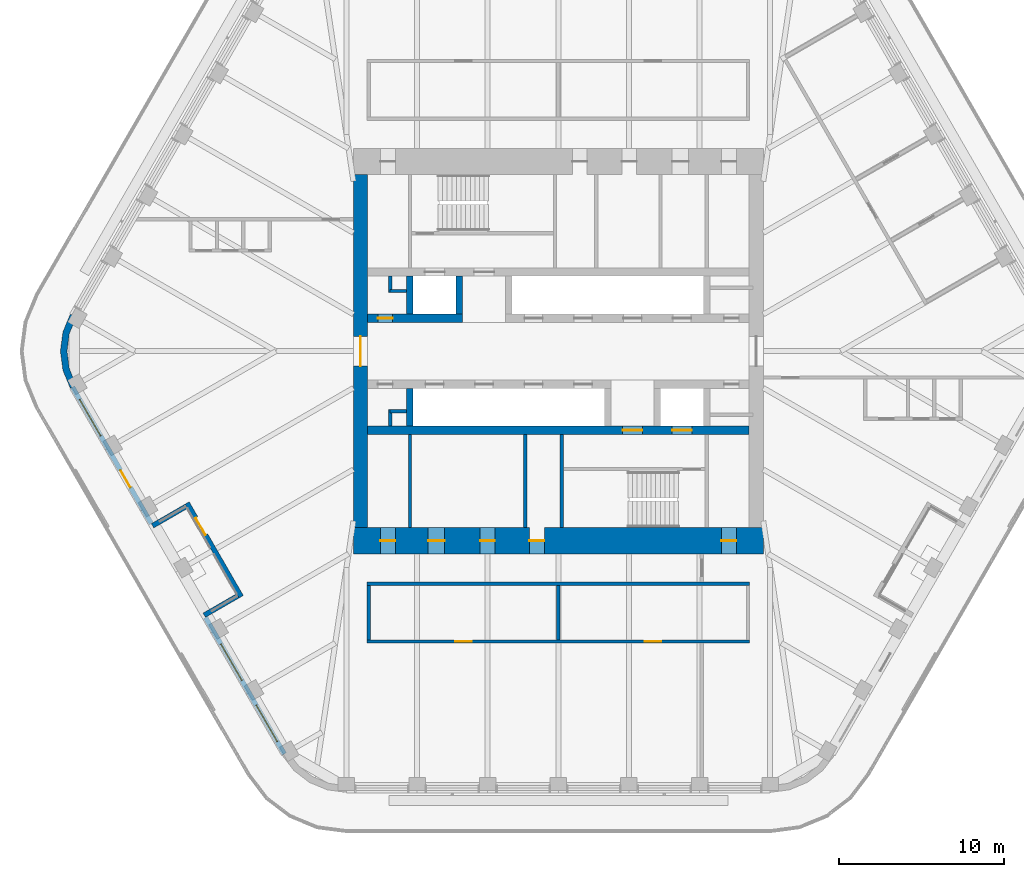
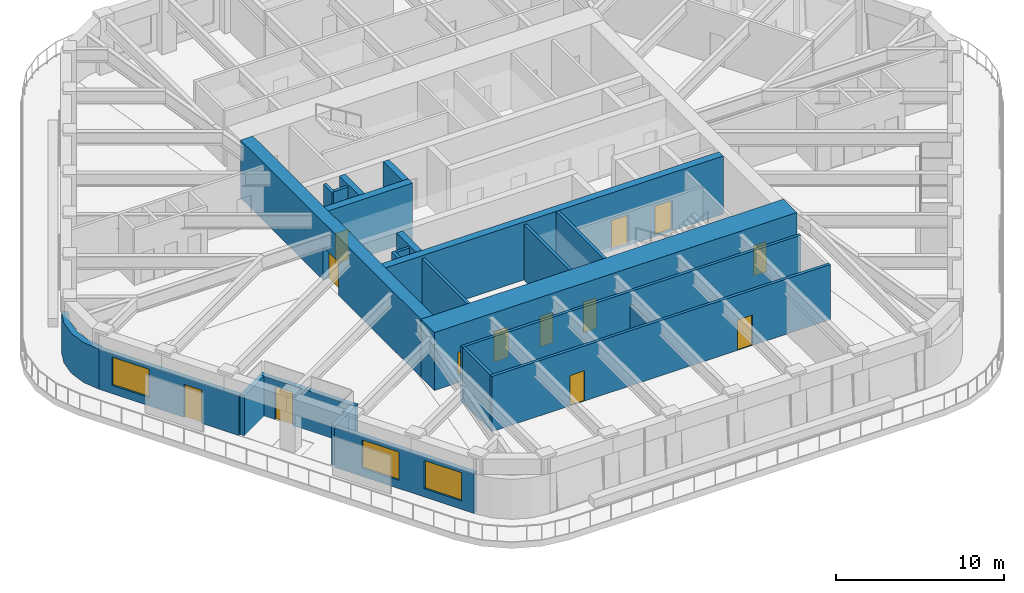
# One storey, part 13 of 19: 24 walls, 13 doors, 3 windows, 16 openings.
"""IFC4 building model written with IfcOpenShell, lengths in metres."""

from ifc_helpers import new_model, si_unit, direction, frame, frame_2d, origin, place, context, subcontext, project, spatial, polyline, rectangle, outline, extrude, material, layer, layer_set, type_object, element, fill, save


model = new_model("IFC4")

# Units and contexts
model_context = context("Model", 3, precision=1e-05, world=origin(), true_north=direction((0.0, 1.0)))
body_context = subcontext(model_context, "Body", "Model", "MODEL_VIEW")
ifc_project = project(units=[si_unit("LENGTHUNIT", "METRE"), si_unit("AREAUNIT", "SQUARE_METRE"), si_unit("VOLUMEUNIT", "CUBIC_METRE"), si_unit("PLANEANGLEUNIT", "RADIAN"), si_unit("MASSUNIT", "GRAM", prefix="KILO")], contexts=[model_context])

# Site, building, storey
site_placement = place(None, origin())
site = spatial("IfcSite", under=ifc_project, at=site_placement, CompositionType="ELEMENT")
building_placement = place(site_placement, origin())
building = spatial("IfcBuilding", under=site, at=building_placement, Name="Tarfa Lantern Tower", CompositionType="ELEMENT")
storey_placement = place(building_placement, frame((0.0, 0.0, 345.10009765625)))
storey = spatial("IfcBuildingStorey", under=building, at=storey_placement, Name="L78", CompositionType="ELEMENT", Elevation=345.10009765625)

# Wall, openings, door, window
ifc_material_1 = material(Name="Limestone cladding on blockwork", Category="masonry")
ifc_layer_1 = layer(ifc_material_1, 0.300048828125)
ifc_layer_set_1 = layer_set([ifc_layer_1], Name="EW1 STONE-CLAD WALL 300")
wall_type_1 = type_object("IfcWallType", Name="EW1 STONE-CLAD WALL 300", PredefinedType="SOLIDWALL", material=ifc_layer_set_1)
wall_1_placement = place(storey_placement, frame((-29.459228515625, -2.175048828125, 0.0), z_axis=(0.0, 0.0, 1.0), x_axis=(0.499996453679, -0.866027451244, 0.0)))
wall_1 = element("IfcWall", 1, at=wall_1_placement, inside=storey, type_object=wall_type_1, Name="Stone wall SW", PredefinedType="SOLIDWALL", context=body_context, shape_type="SweptSolid", body=[
    extrude(rectangle(XDim=9.56396484375, YDim=0.300048828125, at=frame_2d((4.781982421875, 0.0))), origin(), (0.0, 0.0, 1.0), 2.89990234375),
])
opening_1_placement = place(wall_1_placement, frame((0.865966796875, 0.0, 0.60009765625)))
opening_1 = element("IfcOpeningElement", 2, at=opening_1_placement, cuts=wall_1, Name="Opening W17", PredefinedType="OPENING", context=body_context, shape_type="SweptSolid", body=[
    extrude(rectangle(XDim=2.550048828125, YDim=2.050048828125, at=frame_2d((1.27490234375, 1.02490234375))), frame((0.0, 0.159912109375, 0.0), z_axis=(0.0, -1.0, 0.0), x_axis=(1.0, 0.0, 0.0)), (0.0, 0.0, 1.0), 0.320068359375),
])
opening_2_placement = place(wall_1_placement, frame((5.822998046875, 0.0, 0.0)))
opening_2 = element("IfcOpeningElement", 3, at=opening_2_placement, cuts=wall_1, Name="Opening D42", PredefinedType="OPENING", context=body_context, shape_type="SweptSolid", body=[
    extrude(rectangle(XDim=1.199951171875, YDim=2.39990234375, at=frame_2d((0.60009765625, 1.199951171875))), frame((0.0, 0.159912109375, 0.0), z_axis=(0.0, -1.0, 0.0), x_axis=(1.0, 0.0, 0.0)), (0.0, 0.0, 1.0), 0.320068359375),
])
ifc_material_2 = material(Name="Aluminium framed glazed door", Category="aluminium")
door_type_1 = type_object("IfcDoorType", Name="BE3 BALCONY DOOR 1200x2400", OperationType="SINGLE_SWING_RIGHT", PredefinedType="DOOR", material=ifc_material_2)
door_1_placement = place(opening_2_placement, origin())
door_1 = element("IfcDoor", 4, at=door_1_placement, inside=storey, type_object=door_type_1, Name="Balcony door SW", OperationType="SINGLE_SWING_LEFT", OverallHeight=2.39990234375, OverallWidth=1.199951171875, PredefinedType="DOOR", context=body_context, shape_type="SweptSolid", body=[
    extrude(rectangle(XDim=1.199951171875, YDim=2.39990234375, at=frame_2d((0.60009765625, 1.199951171875))), frame((0.0, 0.02490234375, 0.0), z_axis=(0.0, -1.0, 0.0), x_axis=(1.0, 0.0, 0.0)), (0.0, 0.0, 1.0), 0.050048828125),
])
fill(opening_2, door_1)
ifc_material_3 = material(Name="Aluminium frame, double glazed", Category="aluminium")
window_type = type_object("IfcWindowType", Name="W17 FULL-HEIGHT GLAZING 2550x2050", PartitioningType="SINGLE_PANEL", PredefinedType="WINDOW", material=ifc_material_3)
window_1_placement = place(opening_1_placement, origin())
window_1 = element("IfcWindow", 5, at=window_1_placement, inside=storey, type_object=window_type, Name="Window SW 1", OverallHeight=2.050048828125, OverallWidth=2.550048828125, PartitioningType="SINGLE_PANEL", PredefinedType="WINDOW", context=body_context, shape_type="SweptSolid", body=[
    extrude(rectangle(XDim=2.550048828125, YDim=2.050048828125, at=frame_2d((1.27490234375, 1.02490234375))), frame((0.0, 0.030029296875, 0.0), z_axis=(0.0, -1.0, 0.0), x_axis=(1.0, 0.0, 0.0)), (0.0, 0.0, 1.0), 0.06005859375),
])
fill(opening_1, window_1)

# Wall, openings, windows
wall_2_placement = place(storey_placement, frame((-21.395263671875, -16.142333984375, 0.0), z_axis=(0.0, 0.0, 1.0), x_axis=(0.499996453679, -0.866027451244, 0.0)))
wall_2 = element("IfcWall", 6, at=wall_2_placement, inside=storey, type_object=wall_type_1, Name="Stone wall SWB", PredefinedType="SOLIDWALL", context=body_context, shape_type="SweptSolid", body=[
    extrude(rectangle(XDim=9.56396484375, YDim=0.300048828125, at=frame_2d((4.781982421875, 0.0))), origin(), (0.0, 0.0, 1.0), 2.89990234375),
])
opening_3_placement = place(wall_2_placement, frame((1.865966796875, 0.0, 0.60009765625)))
opening_3 = element("IfcOpeningElement", 7, at=opening_3_placement, cuts=wall_2, Name="Opening W17", PredefinedType="OPENING", context=body_context, shape_type="SweptSolid", body=[
    extrude(rectangle(XDim=2.550048828125, YDim=2.050048828125, at=frame_2d((1.27490234375, 1.02490234375))), frame((0.0, 0.159912109375, 0.0), z_axis=(0.0, -1.0, 0.0), x_axis=(1.0, 0.0, 0.0)), (0.0, 0.0, 1.0), 0.320068359375),
])
opening_4_placement = place(wall_2_placement, frame((6.14794921875, 0.0, 0.60009765625)))
opening_4 = element("IfcOpeningElement", 8, at=opening_4_placement, cuts=wall_2, Name="Opening W17", PredefinedType="OPENING", context=body_context, shape_type="SweptSolid", body=[
    extrude(rectangle(XDim=2.550048828125, YDim=2.050048828125, at=frame_2d((1.27490234375, 1.02490234375))), frame((0.0, 0.159912109375, 0.0), z_axis=(0.0, -1.0, 0.0), x_axis=(1.0, 0.0, 0.0)), (0.0, 0.0, 1.0), 0.320068359375),
])
window_2_placement = place(opening_3_placement, origin())
window_2 = element("IfcWindow", 9, at=window_2_placement, inside=storey, type_object=window_type, Name="Window SWB 1", OverallHeight=2.050048828125, OverallWidth=2.550048828125, PartitioningType="SINGLE_PANEL", PredefinedType="WINDOW", context=body_context, shape_type="SweptSolid", body=[
    extrude(rectangle(XDim=2.550048828125, YDim=2.050048828125, at=frame_2d((1.27490234375, 1.02490234375))), frame((0.0, 0.030029296875, 0.0), z_axis=(0.0, -1.0, 0.0), x_axis=(1.0, 0.0, 0.0)), (0.0, 0.0, 1.0), 0.06005859375),
])
fill(opening_3, window_2)
window_3_placement = place(opening_4_placement, origin())
window_3 = element("IfcWindow", 10, at=window_3_placement, inside=storey, type_object=window_type, Name="Window SWB 2", OverallHeight=2.050048828125, OverallWidth=2.550048828125, PartitioningType="SINGLE_PANEL", PredefinedType="WINDOW", context=body_context, shape_type="SweptSolid", body=[
    extrude(rectangle(XDim=2.550048828125, YDim=2.050048828125, at=frame_2d((1.27490234375, 1.02490234375))), frame((0.0, 0.030029296875, 0.0), z_axis=(0.0, -1.0, 0.0), x_axis=(1.0, 0.0, 0.0)), (0.0, 0.0, 1.0), 0.06005859375),
])
fill(opening_4, window_3)

# Walls
for number, where, z_axis, x_axis, name in (
    (11, (-24.602294921875, -10.587646484375, 0.0), (0.0, 0.0, 1.0), (0.866016039709, 0.500016218704, 0.0), "Terrace return SW 1"),
    (12, (-21.47021484375, -16.012451171875, 0.0), (0.0, 0.0, 1.0), (0.866016039709, 0.500016218704, 0.0), "Terrace return SW 2"),
):
    element("IfcWall", number, at=place(storey_placement, frame(where, z_axis=z_axis, x_axis=x_axis)), inside=storey, type_object=wall_type_1, Name=name, PredefinedType="SOLIDWALL", context=body_context, shape_type="SweptSolid", body=[
        extrude(rectangle(XDim=2.35009765625, YDim=0.300048828125, at=frame_2d((1.175048828125, 0.0))), origin(), (0.0, 0.0, 1.0), 2.89990234375),
    ])

# Wall, opening, door
wall_3_placement = place(storey_placement, frame((-22.51220703125, -9.207763671875, 0.0), z_axis=(0.0, 0.0, 1.0), x_axis=(0.499999339774, -0.866025784966, 0.0)))
wall_3 = element("IfcWall", 13, at=wall_3_placement, inside=storey, type_object=wall_type_1, Name="Stone wall SWS", PredefinedType="SOLIDWALL", context=body_context, shape_type="SweptSolid", body=[
    extrude(rectangle(XDim=6.56396484375, YDim=0.300048828125, at=frame_2d((3.281982421875, 0.0))), origin(), (0.0, 0.0, 1.0), 2.89990234375),
])
opening_5_placement = place(wall_3_placement, frame((1.041015625, 0.0, 0.0)))
opening_5 = element("IfcOpeningElement", 14, at=opening_5_placement, cuts=wall_3, Name="Opening D43", PredefinedType="OPENING", context=body_context, shape_type="SweptSolid", body=[
    extrude(rectangle(XDim=1.199951171875, YDim=2.39990234375, at=frame_2d((0.60009765625, 1.199951171875))), frame((0.0, 0.159912109375, 0.0), z_axis=(0.0, -1.0, 0.0), x_axis=(1.0, 0.0, 0.0)), (0.0, 0.0, 1.0), 0.320068359375),
])
door_2_placement = place(opening_5_placement, origin())
door_2 = element("IfcDoor", 15, at=door_2_placement, inside=storey, type_object=door_type_1, Name="Balcony door SWS", OperationType="SINGLE_SWING_RIGHT", OverallHeight=2.39990234375, OverallWidth=1.199951171875, PredefinedType="DOOR", context=body_context, shape_type="SweptSolid", body=[
    extrude(rectangle(XDim=1.199951171875, YDim=2.39990234375, at=frame_2d((0.60009765625, 1.199951171875))), frame((0.0, 0.02490234375, 0.0), z_axis=(0.0, -1.0, 0.0), x_axis=(1.0, 0.0, 0.0)), (0.0, 0.0, 1.0), 0.050048828125),
])
fill(opening_5, door_2)

# Walls
ifc_layer_2 = layer(ifc_material_1, 0.39990234375)
ifc_layer_set_2 = layer_set([ifc_layer_2], Name="EW2 CURVED STONE CORNER 400")
wall_type_2 = type_object("IfcWallType", Name="EW2 CURVED STONE CORNER 400", PredefinedType="SOLIDWALL", material=ifc_layer_set_2)
wall_4_placement = place(storey_placement, origin())
element("IfcWall", 16, at=wall_4_placement, inside=storey, type_object=wall_type_2, Name="Stone corner NW-SW", PredefinedType="SOLIDWALL", context=body_context, shape_type="SweptSolid", body=[
    extrude(outline(polyline([(-29.589111328125, 2.25), (-30.038818359375, 1.164794921875), (-30.192138671875, 0.0), (-30.038818359375, -1.164794921875), (-29.589111328125, -2.25), (-29.24267578125, -2.050048828125), (-29.65234375, -1.061279296875), (-29.7919921875, 0.0), (-29.65234375, 1.061279296875), (-29.24267578125, 2.050048828125), (-29.589111328125, 2.25)])), origin(), (0.0, 0.0, 1.0), 2.89990234375),
])
ifc_material_4 = material(Name="Concrete blockwork", Category="masonry")
ifc_layer_3 = layer(ifc_material_4, 0.199951171875)
ifc_layer_set_3 = layer_set([ifc_layer_3], Name="IW1 BLOCKWORK PARTITION 200 EI 120")
wall_type_3 = type_object("IfcWallType", Name="IW1 BLOCKWORK PARTITION 200 EI 120", PredefinedType="PARTITIONING", material=ifc_layer_set_3)
for number, where, z_axis, x_axis, name in (
    (17, (-9.0, -5.050048828125, 0.0), (0.0, 0.0, 1.0), (0.0, -1.0, 0.0), "Core partition"),
    (18, (-2.0, -5.050048828125, 0.0), (0.0, 0.0, 1.0), (0.0, -1.0, 0.0), "Core partition"),
):
    element("IfcWall", number, at=place(storey_placement, frame(where, z_axis=z_axis, x_axis=x_axis)), inside=storey, type_object=wall_type_3, Name=name, PredefinedType="PARTITIONING", context=body_context, shape_type="SweptSolid", body=[
        extrude(rectangle(XDim=5.64990234375, YDim=0.199951171875, at=frame_2d((2.824951171875, 0.0))), origin(), (0.0, 0.0, 1.0), 4.0),
    ])
for number, where, z_axis, x_axis, name in (
    (19, (-10.199951171875, 3.64990234375, 0.0), (0.0, 0.0, 1.0), (1.0, 0.0, 0.0), "Core partition"),
    (20, (-10.199951171875, 3.550048828125, 0.0), (0.0, 0.0, 1.0), (0.0, 1.0, 0.0), "Core partition"),
    (21, (-9.199951171875, -3.64990234375, 0.0), (0.0, 0.0, 1.0), (-1.0, 0.0, 0.0), "Core partition"),
    (22, (-10.199951171875, -3.550048828125, 0.0), (0.0, 0.0, 1.0), (0.0, -1.0, 0.0), "Core partition"),
):
    element("IfcWall", number, at=place(storey_placement, frame(where, z_axis=z_axis, x_axis=x_axis)), inside=storey, type_object=wall_type_3, Name=name, PredefinedType="PARTITIONING", context=body_context, shape_type="SweptSolid", body=[
        extrude(rectangle(XDim=1.0, YDim=0.199951171875, at=frame_2d((0.5, 0.0))), origin(), (0.0, 0.0, 1.0), 4.0),
    ])
ifc_material_5 = material(Name="Gypsum board on steel studs", Category="steel")
ifc_layer_4 = layer(ifc_material_5, 0.2099609375)
ifc_layer_set_4 = layer_set([ifc_layer_4], Name="IW2 ACOUSTIC PARTITION 200")
wall_type_4 = type_object("IfcWallType", Name="IW2 ACOUSTIC PARTITION 200", PredefinedType="PARTITIONING", material=ifc_layer_set_4)
wall_5_placement = place(storey_placement, frame((11.60009765625, -14.10009765625, 0.0), z_axis=(0.0, 0.0, 1.0), x_axis=(-1.0, 0.0, 0.0)))
element("IfcWall", 23, at=wall_5_placement, inside=storey, type_object=wall_type_4, Name="Partition", PredefinedType="PARTITIONING", context=body_context, shape_type="SweptSolid", body=[
    extrude(rectangle(XDim=23.2001953125, YDim=0.199951171875, at=frame_2d((11.60009765625, 0.0))), origin(), (0.0, 0.0, 1.0), 4.0),
])

# Wall, openings, doors
wall_6_placement = place(storey_placement, frame((11.60009765625, -17.60009765625, 0.0), z_axis=(0.0, 0.0, 1.0), x_axis=(-1.0, 0.0, 0.0)))
wall_6 = element("IfcWall", 24, at=wall_6_placement, inside=storey, type_object=wall_type_4, Name="Partition", PredefinedType="PARTITIONING", context=body_context, shape_type="SweptSolid", body=[
    extrude(rectangle(XDim=23.2001953125, YDim=0.199951171875, at=frame_2d((11.60009765625, 0.0))), origin(), (0.0, 0.0, 1.0), 4.0),
])
opening_6_placement = place(wall_6_placement, frame((5.35009765625, 0.0, 0.0)))
opening_6 = element("IfcOpeningElement", 25, at=opening_6_placement, cuts=wall_6, Name="Opening D27", PredefinedType="OPENING", context=body_context, shape_type="SweptSolid", body=[
    extrude(rectangle(XDim=1.0, YDim=2.199951171875, at=frame_2d((0.5, 1.10009765625))), frame((0.0, 0.10986328125, 0.0), z_axis=(0.0, -1.0, 0.0), x_axis=(1.0, 0.0, 0.0)), (0.0, 0.0, 1.0), 0.219970703125),
])
opening_7_placement = place(wall_6_placement, frame((16.85009765625, 0.0, 0.0)))
opening_7 = element("IfcOpeningElement", 26, at=opening_7_placement, cuts=wall_6, Name="Opening D28", PredefinedType="OPENING", context=body_context, shape_type="SweptSolid", body=[
    extrude(rectangle(XDim=1.0, YDim=2.199951171875, at=frame_2d((0.5, 1.10009765625))), frame((0.0, 0.10986328125, 0.0), z_axis=(0.0, -1.0, 0.0), x_axis=(1.0, 0.0, 0.0)), (0.0, 0.0, 1.0), 0.219970703125),
])
ifc_material_6 = material(Name="Timber door", Category="wood")
door_type_2 = type_object("IfcDoorType", Name="DR1 ROOM DOOR 1000x2200", OperationType="SINGLE_SWING_LEFT", PredefinedType="DOOR", material=ifc_material_6)
door_3_placement = place(opening_6_placement, frame((1.0, 0.0, 0.0), z_axis=(0.0, 0.0, 1.0), x_axis=(-1.0, 0.0, 0.0)))
door_3 = element("IfcDoor", 27, at=door_3_placement, inside=storey, type_object=door_type_2, Name="Stationery store door", OperationType="SINGLE_SWING_LEFT", OverallHeight=2.199951171875, OverallWidth=1.0, PredefinedType="DOOR", context=body_context, shape_type="SweptSolid", body=[
    extrude(rectangle(XDim=1.0, YDim=2.199951171875, at=frame_2d((0.5, 1.10009765625))), frame((0.0, 0.02490234375, 0.0), z_axis=(0.0, -1.0, 0.0), x_axis=(1.0, 0.0, 0.0)), (0.0, 0.0, 1.0), 0.050048828125),
])
fill(opening_6, door_3)
door_4_placement = place(opening_7_placement, frame((1.0, 0.0, 0.0), z_axis=(0.0, 0.0, 1.0), x_axis=(-1.0, 0.0, 0.0)))
door_4 = element("IfcDoor", 28, at=door_4_placement, inside=storey, type_object=door_type_2, Name="Supplies store door", OperationType="SINGLE_SWING_RIGHT", OverallHeight=2.199951171875, OverallWidth=1.0, PredefinedType="DOOR", context=body_context, shape_type="SweptSolid", body=[
    extrude(rectangle(XDim=1.0, YDim=2.199951171875, at=frame_2d((0.5, 1.10009765625))), frame((0.0, 0.02490234375, 0.0), z_axis=(0.0, -1.0, 0.0), x_axis=(1.0, 0.0, 0.0)), (0.0, 0.0, 1.0), 0.050048828125),
])
fill(opening_7, door_4)

# Walls
wall_7_placement = place(storey_placement, frame((0.0, -14.199951171875, 0.0), z_axis=(0.0, 0.0, 1.0), x_axis=(0.0, -1.0, 0.0)))
element("IfcWall", 29, at=wall_7_placement, inside=storey, type_object=wall_type_4, Name="Partition", PredefinedType="PARTITIONING", context=body_context, shape_type="SweptSolid", body=[
    extrude(rectangle(XDim=3.300048828125, YDim=0.199951171875, at=frame_2d((1.64990234375, 0.0))), origin(), (0.0, 0.0, 1.0), 2.99169921875),
])
wall_8_placement = place(storey_placement, frame((-11.5, -14.199951171875, 0.0), z_axis=(0.0, 0.0, 1.0), x_axis=(0.0, -1.0, 0.0)))
element("IfcWall", 30, at=wall_8_placement, inside=storey, type_object=wall_type_4, Name="Partition", PredefinedType="PARTITIONING", context=body_context, shape_type="SweptSolid", body=[
    extrude(rectangle(XDim=3.300048828125, YDim=0.199951171875, at=frame_2d((1.64990234375, 0.0))), origin(), (0.0, 0.0, 1.0), 4.0),
])
ifc_material_7 = material(Name="Concrete C80/95", Category="concrete")
ifc_layer_5 = layer(ifc_material_7, 0.199951171875)
ifc_layer_set_5 = layer_set([ifc_layer_5], Name="SW12 CORE WALL 200")
wall_type_5 = type_object("IfcWallType", Name="SW12 CORE WALL 200", PredefinedType="SHEAR", material=ifc_layer_set_5)
wall_9_placement = place(storey_placement, frame((0.199951171875, -5.050048828125, 0.0), z_axis=(0.0, 0.0, 1.0), x_axis=(0.0, -1.0, 0.0)))
element("IfcWall", 31, at=wall_9_placement, inside=storey, type_object=wall_type_5, Name="Core wall stair shaft S", PredefinedType="SHEAR", context=body_context, shape_type="SweptSolid", body=[
    extrude(rectangle(XDim=5.64990234375, YDim=0.199951171875, at=frame_2d((2.824951171875, 0.0))), origin(), (0.0, 0.0, 1.0), 4.199951171875),
])

# Wall, opening, door
ifc_layer_6 = layer(ifc_material_7, 0.85009765625)
ifc_layer_set_6 = layer_set([ifc_layer_6], Name="SW3 CORE WALL 850")
wall_type_6 = type_object("IfcWallType", Name="SW3 CORE WALL 850", PredefinedType="SHEAR", material=ifc_layer_set_6)
wall_10_placement = place(storey_placement, frame((-12.0, 10.699951171875, 0.0), z_axis=(0.0, 0.0, 1.0), x_axis=(0.0, -1.0, 0.0)))
wall_10 = element("IfcWall", 32, at=wall_10_placement, inside=storey, type_object=wall_type_6, Name="Core wall W", PredefinedType="SHEAR", context=body_context, shape_type="SweptSolid", body=[
    extrude(rectangle(XDim=21.39990234375, YDim=0.85009765625, at=frame_2d((10.699951171875, 0.0))), origin(), (0.0, 0.0, 1.0), 4.199951171875),
])
opening_8_placement = place(wall_10_placement, frame((9.800048828125, 0.0, 0.0)))
opening_8 = element("IfcOpeningElement", 33, at=opening_8_placement, cuts=wall_10, Name="Opening D08", PredefinedType="OPENING", context=body_context, shape_type="SweptSolid", body=[
    extrude(rectangle(XDim=1.800048828125, YDim=2.39990234375, at=frame_2d((0.89990234375, 1.199951171875))), frame((0.0, 0.43505859375, 0.0), z_axis=(0.0, -1.0, 0.0), x_axis=(1.0, 0.0, 0.0)), (0.0, 0.0, 1.0), 0.8701171875),
])
ifc_material_8 = material(Name="Steel fire door", Category="steel")
door_type_3 = type_object("IfcDoorType", Name="DL1 LOBBY DOOR 1800x2400", OperationType="DOUBLE_DOOR_SINGLE_SWING", PredefinedType="DOOR", material=ifc_material_8)
door_5_placement = place(opening_8_placement, frame((1.800048828125, 0.0, 0.0), z_axis=(0.0, 0.0, 1.0), x_axis=(-1.0, 0.0, 0.0)))
door_5 = element("IfcDoor", 34, at=door_5_placement, inside=storey, type_object=door_type_3, Name="Lift lobby door", OperationType="DOUBLE_DOOR_SINGLE_SWING", OverallHeight=2.39990234375, OverallWidth=1.800048828125, PredefinedType="DOOR", context=body_context, shape_type="SweptSolid", body=[
    extrude(rectangle(XDim=1.800048828125, YDim=2.39990234375, at=frame_2d((0.89990234375, 1.199951171875))), frame((0.0, 0.02490234375, 0.0), z_axis=(0.0, -1.0, 0.0), x_axis=(1.0, 0.0, 0.0)), (0.0, 0.0, 1.0), 0.050048828125),
])
fill(opening_8, door_5)

ifc_layer_7 = layer(ifc_material_7, 0.5)
ifc_layer_set_7 = layer_set([ifc_layer_7], Name="SW5 CORE WALL 500")
wall_type_7 = type_object("IfcWallType", Name="SW5 CORE WALL 500", PredefinedType="SHEAR", material=ifc_layer_set_7)
wall_11_placement = place(storey_placement, frame((-11.574951171875, 2.0, 0.0), z_axis=(0.0, 0.0, 1.0), x_axis=(1.0, 0.0, 0.0)))
wall_11 = element("IfcWall", 35, at=wall_11_placement, inside=storey, type_object=wall_type_7, Name="Core wall lobby west N", PredefinedType="SHEAR", context=body_context, shape_type="SweptSolid", body=[
    extrude(rectangle(XDim=5.77490234375, YDim=0.5, at=frame_2d((2.887451171875, 0.0))), origin(), (0.0, 0.0, 1.0), 4.199951171875),
])
opening_9_placement = place(wall_11_placement, frame((0.625, 0.0, 0.0)))
opening_9 = element("IfcOpeningElement", 36, at=opening_9_placement, cuts=wall_11, Name="Opening D11", PredefinedType="OPENING", context=body_context, shape_type="SweptSolid", body=[
    extrude(rectangle(XDim=0.89990234375, YDim=2.199951171875, at=frame_2d((0.449951171875, 1.10009765625))), frame((0.0, 0.260009765625, 0.0), z_axis=(0.0, -1.0, 0.0), x_axis=(1.0, 0.0, 0.0)), (0.0, 0.0, 1.0), 0.52001953125),
])
door_type_4 = type_object("IfcDoorType", Name="DF6 SERVICE ROOM DOOR 900x2200", OperationType="SINGLE_SWING_LEFT", PredefinedType="DOOR", material=ifc_material_8)
door_6_placement = place(opening_9_placement, origin())
door_6 = element("IfcDoor", 37, at=door_6_placement, inside=storey, type_object=door_type_4, Name="Service room door", OperationType="SINGLE_SWING_RIGHT", OverallHeight=2.199951171875, OverallWidth=0.89990234375, PredefinedType="DOOR", context=body_context, shape_type="SweptSolid", body=[
    extrude(rectangle(XDim=0.89990234375, YDim=2.199951171875, at=frame_2d((0.449951171875, 1.10009765625))), frame((0.0, 0.02490234375, 0.0), z_axis=(0.0, -1.0, 0.0), x_axis=(1.0, 0.0, 0.0)), (0.0, 0.0, 1.0), 0.050048828125),
])
fill(opening_9, door_6)

# Wall, openings, doors
wall_12_placement = place(storey_placement, frame((11.574951171875, -4.800048828125, 0.0), z_axis=(0.0, 0.0, 1.0), x_axis=(-1.0, 0.0, 0.0)))
wall_12 = element("IfcWall", 38, at=wall_12_placement, inside=storey, type_object=wall_type_7, Name="Core wall rear S", PredefinedType="SHEAR", context=body_context, shape_type="SweptSolid", body=[
    extrude(rectangle(XDim=23.14990234375, YDim=0.5, at=frame_2d((11.574951171875, 0.0))), origin(), (0.0, 0.0, 1.0), 4.199951171875),
])
opening_10_placement = place(wall_12_placement, frame((6.47509765625, 0.0, 0.0)))
opening_10 = element("IfcOpeningElement", 39, at=opening_10_placement, cuts=wall_12, Name="Opening D06", PredefinedType="OPENING", context=body_context, shape_type="SweptSolid", body=[
    extrude(rectangle(XDim=1.199951171875, YDim=2.199951171875, at=frame_2d((0.60009765625, 1.10009765625))), frame((0.0, 0.260009765625, 0.0), z_axis=(0.0, -1.0, 0.0), x_axis=(1.0, 0.0, 0.0)), (0.0, 0.0, 1.0), 0.52001953125),
])
opening_11_placement = place(wall_12_placement, frame((3.47509765625, 0.0, 0.0)))
opening_11 = element("IfcOpeningElement", 40, at=opening_11_placement, cuts=wall_12, Name="Opening LD02", PredefinedType="OPENING", context=body_context, shape_type="SweptSolid", body=[
    extrude(rectangle(XDim=1.199951171875, YDim=2.199951171875, at=frame_2d((0.60009765625, 1.10009765625))), frame((0.0, 0.260009765625, 0.0), z_axis=(0.0, -1.0, 0.0), x_axis=(1.0, 0.0, 0.0)), (0.0, 0.0, 1.0), 0.52001953125),
])
door_type_5 = type_object("IfcDoorType", Name="DF1 FIREFIGHTING LOBBY DOOR 1200x2200", OperationType="SINGLE_SWING_LEFT", PredefinedType="DOOR", material=ifc_material_8)
door_7_placement = place(opening_10_placement, origin())
door_7 = element("IfcDoor", 41, at=door_7_placement, inside=storey, type_object=door_type_5, Name="Firefighting lobby door", OperationType="SINGLE_SWING_LEFT", OverallHeight=2.199951171875, OverallWidth=1.199951171875, PredefinedType="DOOR", context=body_context, shape_type="SweptSolid", body=[
    extrude(rectangle(XDim=1.199951171875, YDim=2.199951171875, at=frame_2d((0.60009765625, 1.10009765625))), frame((0.0, 0.02490234375, 0.0), z_axis=(0.0, -1.0, 0.0), x_axis=(1.0, 0.0, 0.0)), (0.0, 0.0, 1.0), 0.050048828125),
])
fill(opening_10, door_7)
ifc_material_9 = material(Name="Stainless steel lift door", Category="steel")
door_type_6 = type_object("IfcDoorType", Name="LD1 LIFT LANDING DOOR 1200x2200", OperationType="SLIDING_TO_LEFT", PredefinedType="DOOR", material=ifc_material_9)
door_8_placement = place(opening_11_placement, origin())
door_8 = element("IfcDoor", 42, at=door_8_placement, inside=storey, type_object=door_type_6, Name="Landing door FL2", OperationType="SLIDING_TO_LEFT", OverallHeight=2.199951171875, OverallWidth=1.199951171875, PredefinedType="DOOR", context=body_context, shape_type="SweptSolid", body=[
    extrude(rectangle(XDim=1.199951171875, YDim=2.199951171875, at=frame_2d((0.60009765625, 1.10009765625))), frame((0.0, 0.02490234375, 0.0), z_axis=(0.0, -1.0, 0.0), x_axis=(1.0, 0.0, 0.0)), (0.0, 0.0, 1.0), 0.050048828125),
])
fill(opening_11, door_8)

# Walls
ifc_layer_8 = layer(ifc_material_7, 0.39990234375)
ifc_layer_set_8 = layer_set([ifc_layer_8], Name="SW6 CORE WALL 400")
wall_type_8 = type_object("IfcWallType", Name="SW6 CORE WALL 400", PredefinedType="SHEAR", material=ifc_layer_set_8)
for number, where, z_axis, x_axis, name in (
    (43, (-9.0, 2.25, 0.0), (0.0, 0.0, 1.0), (0.0, 1.0, 0.0), "Core wall divider N"),
    (44, (-6.0, 2.25, 0.0), (0.0, 0.0, 1.0), (0.0, 1.0, 0.0), "Core wall divider N"),
    (45, (-9.0, -2.25, 0.0), (0.0, 0.0, 1.0), (0.0, -1.0, 0.0), "Core wall divider S"),
):
    element("IfcWall", number, at=place(storey_placement, frame(where, z_axis=z_axis, x_axis=x_axis)), inside=storey, type_object=wall_type_8, Name=name, PredefinedType="SHEAR", context=body_context, shape_type="SweptSolid", body=[
        extrude(rectangle(XDim=2.300048828125, YDim=0.39990234375, at=frame_2d((1.14990234375, 0.0))), origin(), (0.0, 0.0, 1.0), 4.199951171875),
    ])

# Wall, openings, doors
ifc_layer_9 = layer(ifc_material_7, 1.60009765625)
ifc_layer_set_9 = layer_set([ifc_layer_9], Name="SW7 CORE WALL 1600")
wall_type_9 = type_object("IfcWallType", Name="SW7 CORE WALL 1600", PredefinedType="SHEAR", material=ifc_layer_set_9)
wall_13_placement = place(storey_placement, frame((12.425048828125, -11.5, 0.0), z_axis=(0.0, 0.0, 1.0), x_axis=(-1.0, 0.0, 0.0)))
wall_13 = element("IfcWall", 46, at=wall_13_placement, inside=storey, type_object=wall_type_9, Name="Core wall S", PredefinedType="SHEAR", context=body_context, shape_type="SweptSolid", body=[
    extrude(rectangle(XDim=24.85009765625, YDim=1.60009765625, at=frame_2d((12.425048828125, 0.0))), origin(), (0.0, 0.0, 1.0), 4.199951171875),
])
opening_12_placement = place(wall_13_placement, frame((13.27490234375, 0.0, 0.0)))
opening_12 = element("IfcOpeningElement", 47, at=opening_12_placement, cuts=wall_13, Name="Opening D14", PredefinedType="OPENING", context=body_context, shape_type="SweptSolid", body=[
    extrude(rectangle(XDim=0.89990234375, YDim=2.199951171875, at=frame_2d((0.449951171875, 1.10009765625))), frame((0.0, 0.81005859375, 0.0), z_axis=(0.0, -1.0, 0.0), x_axis=(1.0, 0.0, 0.0)), (0.0, 0.0, 1.0), 1.6201171875),
])
opening_13_placement = place(wall_13_placement, frame((16.27490234375, 0.0, 0.0)))
opening_13 = element("IfcOpeningElement", 48, at=opening_13_placement, cuts=wall_13, Name="Opening D16", PredefinedType="OPENING", context=body_context, shape_type="SweptSolid", body=[
    extrude(rectangle(XDim=0.89990234375, YDim=2.199951171875, at=frame_2d((0.449951171875, 1.10009765625))), frame((0.0, 0.81005859375, 0.0), z_axis=(0.0, -1.0, 0.0), x_axis=(1.0, 0.0, 0.0)), (0.0, 0.0, 1.0), 1.6201171875),
])
opening_14_placement = place(wall_13_placement, frame((19.324951171875, 0.0, 0.0)))
opening_14 = element("IfcOpeningElement", 49, at=opening_14_placement, cuts=wall_13, Name="Opening D18", PredefinedType="OPENING", context=body_context, shape_type="SweptSolid", body=[
    extrude(rectangle(XDim=1.0, YDim=2.199951171875, at=frame_2d((0.5, 1.10009765625))), frame((0.0, 0.81005859375, 0.0), z_axis=(0.0, -1.0, 0.0), x_axis=(1.0, 0.0, 0.0)), (0.0, 0.0, 1.0), 1.6201171875),
])
opening_15_placement = place(wall_13_placement, frame((1.637451171875, 0.0, 0.0)))
opening_15 = element("IfcOpeningElement", 50, at=opening_15_placement, cuts=wall_13, Name="Opening D04", PredefinedType="OPENING", context=body_context, shape_type="SweptSolid", body=[
    extrude(rectangle(XDim=0.89990234375, YDim=2.199951171875, at=frame_2d((0.449951171875, 1.10009765625))), frame((0.0, 0.81005859375, 0.0), z_axis=(0.0, -1.0, 0.0), x_axis=(1.0, 0.0, 0.0)), (0.0, 0.0, 1.0), 1.6201171875),
])
opening_16_placement = place(wall_13_placement, frame((22.3125, 0.0, 0.0)))
opening_16 = element("IfcOpeningElement", 51, at=opening_16_placement, cuts=wall_13, Name="Opening D02", PredefinedType="OPENING", context=body_context, shape_type="SweptSolid", body=[
    extrude(rectangle(XDim=0.89990234375, YDim=2.199951171875, at=frame_2d((0.449951171875, 1.10009765625))), frame((0.0, 0.81005859375, 0.0), z_axis=(0.0, -1.0, 0.0), x_axis=(1.0, 0.0, 0.0)), (0.0, 0.0, 1.0), 1.6201171875),
])
door_type_7 = type_object("IfcDoorType", Name="DF3 CORE ROOM DOOR 900x2200", OperationType="SINGLE_SWING_LEFT", PredefinedType="DOOR", material=ifc_material_8)
door_9_placement = place(opening_12_placement, frame((0.89990234375, 0.0, 0.0), z_axis=(0.0, 0.0, 1.0), x_axis=(-1.0, 0.0, 0.0)))
door_9 = element("IfcDoor", 52, at=door_9_placement, inside=storey, type_object=door_type_7, Name="Core door", OperationType="SINGLE_SWING_RIGHT", OverallHeight=2.199951171875, OverallWidth=0.89990234375, PredefinedType="DOOR", context=body_context, shape_type="SweptSolid", body=[
    extrude(rectangle(XDim=0.89990234375, YDim=2.199951171875, at=frame_2d((0.449951171875, 1.10009765625))), frame((0.0, 0.02490234375, 0.0), z_axis=(0.0, -1.0, 0.0), x_axis=(1.0, 0.0, 0.0)), (0.0, 0.0, 1.0), 0.050048828125),
])
fill(opening_12, door_9)
door_10_placement = place(opening_13_placement, frame((0.89990234375, 0.0, 0.0), z_axis=(0.0, 0.0, 1.0), x_axis=(-1.0, 0.0, 0.0)))
door_10 = element("IfcDoor", 53, at=door_10_placement, inside=storey, type_object=door_type_7, Name="Core door", OperationType="SINGLE_SWING_LEFT", OverallHeight=2.199951171875, OverallWidth=0.89990234375, PredefinedType="DOOR", context=body_context, shape_type="SweptSolid", body=[
    extrude(rectangle(XDim=0.89990234375, YDim=2.199951171875, at=frame_2d((0.449951171875, 1.10009765625))), frame((0.0, 0.02490234375, 0.0), z_axis=(0.0, -1.0, 0.0), x_axis=(1.0, 0.0, 0.0)), (0.0, 0.0, 1.0), 0.050048828125),
])
fill(opening_13, door_10)
door_type_8 = type_object("IfcDoorType", Name="DF4 CORE ROOM DOOR 1000x2200", OperationType="SINGLE_SWING_LEFT", PredefinedType="DOOR", material=ifc_material_8)
door_11_placement = place(opening_14_placement, frame((1.0, 0.0, 0.0), z_axis=(0.0, 0.0, 1.0), x_axis=(-1.0, 0.0, 0.0)))
door_11 = element("IfcDoor", 54, at=door_11_placement, inside=storey, type_object=door_type_8, Name="Core door", OperationType="SINGLE_SWING_RIGHT", OverallHeight=2.199951171875, OverallWidth=1.0, PredefinedType="DOOR", context=body_context, shape_type="SweptSolid", body=[
    extrude(rectangle(XDim=1.0, YDim=2.199951171875, at=frame_2d((0.5, 1.10009765625))), frame((0.0, 0.02490234375, 0.0), z_axis=(0.0, -1.0, 0.0), x_axis=(1.0, 0.0, 0.0)), (0.0, 0.0, 1.0), 0.050048828125),
])
fill(opening_14, door_11)
door_type_9 = type_object("IfcDoorType", Name="DF5 RISER DOOR 900x2200", OperationType="SINGLE_SWING_LEFT", PredefinedType="DOOR", material=ifc_material_8)
door_12_placement = place(opening_15_placement, frame((0.89990234375, 0.0, 0.0), z_axis=(0.0, 0.0, 1.0), x_axis=(-1.0, 0.0, 0.0)))
door_12 = element("IfcDoor", 55, at=door_12_placement, inside=storey, type_object=door_type_9, Name="Riser door", OperationType="SINGLE_SWING_LEFT", OverallHeight=2.199951171875, OverallWidth=0.89990234375, PredefinedType="DOOR", context=body_context, shape_type="SweptSolid", body=[
    extrude(rectangle(XDim=0.89990234375, YDim=2.199951171875, at=frame_2d((0.449951171875, 1.10009765625))), frame((0.0, 0.02490234375, 0.0), z_axis=(0.0, -1.0, 0.0), x_axis=(1.0, 0.0, 0.0)), (0.0, 0.0, 1.0), 0.050048828125),
])
fill(opening_15, door_12)
door_13_placement = place(opening_16_placement, frame((0.89990234375, 0.0, 0.0), z_axis=(0.0, 0.0, 1.0), x_axis=(-1.0, 0.0, 0.0)))
door_13 = element("IfcDoor", 56, at=door_13_placement, inside=storey, type_object=door_type_9, Name="Riser door", OperationType="SINGLE_SWING_RIGHT", OverallHeight=2.199951171875, OverallWidth=0.89990234375, PredefinedType="DOOR", context=body_context, shape_type="SweptSolid", body=[
    extrude(rectangle(XDim=0.89990234375, YDim=2.199951171875, at=frame_2d((0.449951171875, 1.10009765625))), frame((0.0, 0.02490234375, 0.0), z_axis=(0.0, -1.0, 0.0), x_axis=(1.0, 0.0, 0.0)), (0.0, 0.0, 1.0), 0.050048828125),
])
fill(opening_16, door_13)

save(model, "model.ifc")
